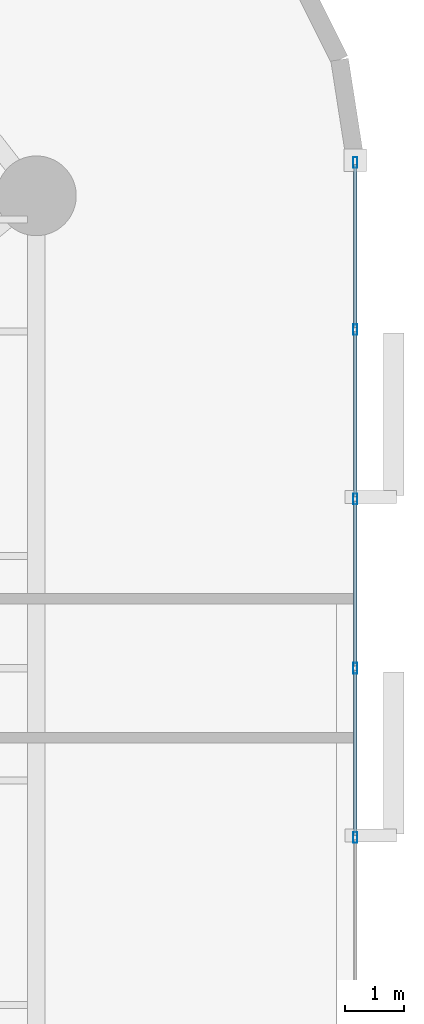
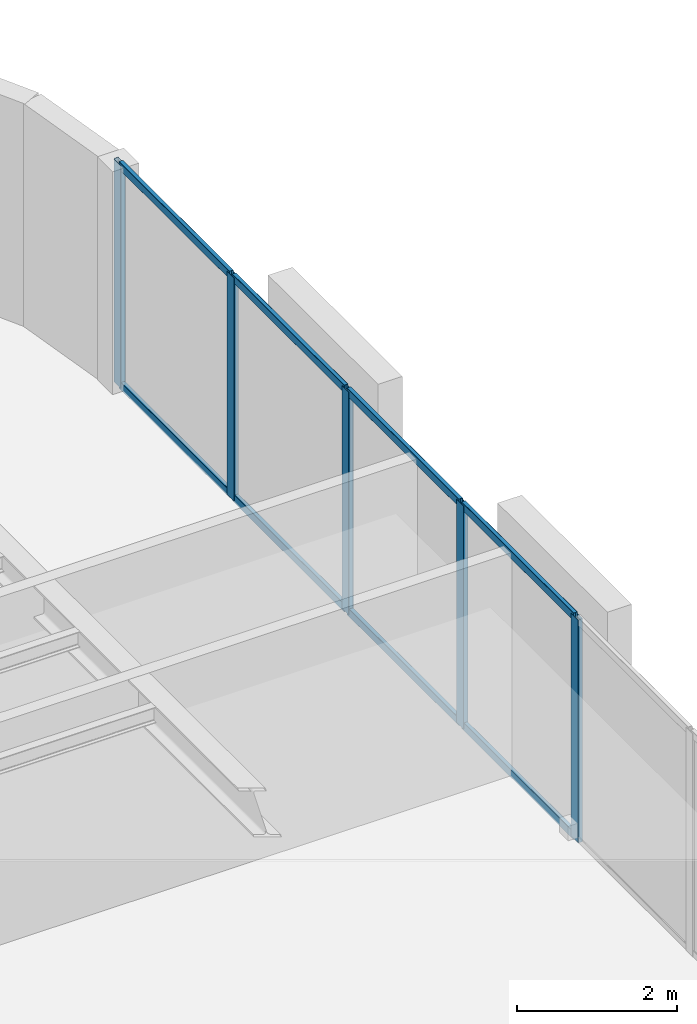
# One storey, part 6 of 15: 13 members, 1 element without a shape of its own.
"""IFC4 building model written with IfcOpenShell, lengths in metres."""

from ifc_helpers import new_model, si_unit, direction, frame, origin, origin_2d, place, context, subcontext, project, spatial, hollow_rectangle, extrude, material, layer, layer_set, material_profile, profile_set, type_object, element, aggregate, save


model = new_model("IFC4")

# Units and contexts
model_context = context("Model", 3, precision=1e-05, world=origin(), true_north=direction((0.0, 1.0)))
body_context = subcontext(model_context, "Body", "Model", "MODEL_VIEW")
ifc_project = project(units=[si_unit("LENGTHUNIT", "METRE"), si_unit("AREAUNIT", "SQUARE_METRE"), si_unit("VOLUMEUNIT", "CUBIC_METRE"), si_unit("PLANEANGLEUNIT", "RADIAN"), si_unit("MASSUNIT", "GRAM", prefix="KILO")], contexts=[model_context])

# Site, building, storey
site_placement = place(None, origin())
site = spatial("IfcSite", under=ifc_project, at=site_placement, CompositionType="ELEMENT")
building_placement = place(site_placement, origin())
building = spatial("IfcBuilding", under=site, at=building_placement, Name="An Khanh Terracotta Commons", CompositionType="ELEMENT")
storey_placement = place(building_placement, frame((0.0, 0.0, 86.300048828125)))
storey = spatial("IfcBuildingStorey", under=building, at=storey_placement, Name="L22", CompositionType="ELEMENT", Elevation=86.300048828125)

# Curtain wall, members
ifc_material = material(Name="Anodised Aluminium 6063-T6", Category="aluminium")
ifc_layer = layer(ifc_material, 0.199951171875, Name="Anodised Aluminium 6063-T6")
ifc_layer_set = layer_set([ifc_layer], Name="Anodised Aluminium 6063-T6")
curtain_wall_type = type_object("IfcCurtainWallType", Name="CW-SYS-02", PredefinedType="USERDEFINED", material=ifc_layer_set)
curtain_wall_placement = place(storey_placement, origin())
curtain_wall = element("IfcCurtainWall", 1, at=curtain_wall_placement, inside=storey, type_object=curtain_wall_type, Name="L22 CW-02 Unitised Curtain Wall CW-L22-12", ObjectType="UNITISED CURTAIN WALL", PredefinedType="USERDEFINED")
ifc_material_profile_1 = material_profile(ifc_material, hollow_rectangle(XDim=0.070068359375, YDim=0.179931640625, WallThickness=0.00390625, InnerFilletRadius=0.00390625, OuterFilletRadius=0.008056640625, at=origin_2d()), Name="RHS180x70x4")
ifc_profile_set_1 = profile_set([ifc_material_profile_1], Name="Anodised Aluminium 6063-T6")
member_type_1 = type_object("IfcMemberType", Name="CWM-RHS180x70x4", PredefinedType="MULLION", material=ifc_profile_set_1)
member_1_placement = place(storey_placement, frame((57.39990234375, 21.13330078125, 0.0), z_axis=(0.0, 0.0, 1.0), x_axis=(-1.0, 0.0, 0.0)))
member_1 = element("IfcMember", 2, at=member_1_placement, type_object=member_type_1, Name="CW-02 mullion 3", PredefinedType="MULLION", context=body_context, shape_type="SweptSolid", body=[
    extrude(hollow_rectangle(XDim=0.070068359375, YDim=0.179931640625, WallThickness=0.00390625, InnerFilletRadius=0.00390625, OuterFilletRadius=0.008056640625, at=origin_2d()), origin(), (0.0, 0.0, 1.0), 3.39990234375),
])
member_2_placement = place(storey_placement, frame((57.39990234375, 24.0, 0.0), z_axis=(0.0, 0.0, 1.0), x_axis=(-1.0, 0.0, 0.0)))
member_2 = element("IfcMember", 3, at=member_2_placement, type_object=member_type_1, Name="CW-02 mullion 4", PredefinedType="MULLION", context=body_context, shape_type="SweptSolid", body=[
    extrude(hollow_rectangle(XDim=0.070068359375, YDim=0.179931640625, WallThickness=0.00390625, InnerFilletRadius=0.00390625, OuterFilletRadius=0.008056640625, at=origin_2d()), origin(), (0.0, 0.0, 1.0), 3.39990234375),
])
member_3_placement = place(storey_placement, frame((57.39990234375, 26.86669921875, 0.0), z_axis=(0.0, 0.0, 1.0), x_axis=(-1.0, 0.0, 0.0)))
member_3 = element("IfcMember", 4, at=member_3_placement, type_object=member_type_1, Name="CW-02 mullion 5", PredefinedType="MULLION", context=body_context, shape_type="SweptSolid", body=[
    extrude(hollow_rectangle(XDim=0.070068359375, YDim=0.179931640625, WallThickness=0.00390625, InnerFilletRadius=0.00390625, OuterFilletRadius=0.008056640625, at=origin_2d()), origin(), (0.0, 0.0, 1.0), 3.39990234375),
])
member_4_placement = place(storey_placement, frame((57.39990234375, 29.7333984375, 0.0), z_axis=(0.0, 0.0, 1.0), x_axis=(-1.0, 0.0, 0.0)))
member_4 = element("IfcMember", 5, at=member_4_placement, type_object=member_type_1, Name="CW-02 mullion 6", PredefinedType="MULLION", context=body_context, shape_type="SweptSolid", body=[
    extrude(hollow_rectangle(XDim=0.070068359375, YDim=0.179931640625, WallThickness=0.00390625, InnerFilletRadius=0.00390625, OuterFilletRadius=0.008056640625, at=origin_2d()), origin(), (0.0, 0.0, 1.0), 3.39990234375),
])
member_5_placement = place(storey_placement, frame((57.39990234375, 32.56494140625, 0.0), z_axis=(0.0, 0.0, 1.0), x_axis=(-1.0, 0.0, 0.0)))
member_5 = element("IfcMember", 6, at=member_5_placement, type_object=member_type_1, Name="CW-02 mullion 7", PredefinedType="MULLION", context=body_context, shape_type="SweptSolid", body=[
    extrude(hollow_rectangle(XDim=0.070068359375, YDim=0.179931640625, WallThickness=0.00390625, InnerFilletRadius=0.00390625, OuterFilletRadius=0.008056640625, at=origin_2d()), origin(), (0.0, 0.0, 1.0), 3.39990234375),
])
ifc_material_profile_2 = material_profile(ifc_material, hollow_rectangle(XDim=0.06005859375, YDim=0.1201171875, WallThickness=0.003662109375, InnerFilletRadius=0.003662109375, OuterFilletRadius=0.007080078125, at=origin_2d()), Name="RHS120x60x3.6")
ifc_profile_set_2 = profile_set([ifc_material_profile_2], Name="Anodised Aluminium 6063-T6")
member_type_2 = type_object("IfcMemberType", Name="CWT-RHS120x60x3.6", PredefinedType="USERDEFINED", material=ifc_profile_set_2)
member_6_placement = place(storey_placement, frame((57.39990234375, 21.168212890625, 0.030029296875), z_axis=(0.0, 1.0, 0.0), x_axis=(-1.0, 0.0, 0.0)))
member_6 = element("IfcMember", 7, at=member_6_placement, type_object=member_type_2, Name="CW-02 transom 3.1", ObjectType="TRANSOM", PredefinedType="USERDEFINED", context=body_context, shape_type="SweptSolid", body=[
    extrude(hollow_rectangle(XDim=0.06005859375, YDim=0.1201171875, WallThickness=0.003662109375, InnerFilletRadius=0.003662109375, OuterFilletRadius=0.007080078125, at=origin_2d()), origin(), (0.0, 0.0, 1.0), 2.796875),
])
member_7_placement = place(storey_placement, frame((57.39990234375, 21.168212890625, 3.369873046875), z_axis=(0.0, 1.0, 0.0), x_axis=(-1.0, 0.0, 0.0)))
member_7 = element("IfcMember", 8, at=member_7_placement, type_object=member_type_2, Name="CW-02 transom 3.2", ObjectType="TRANSOM", PredefinedType="USERDEFINED", context=body_context, shape_type="SweptSolid", body=[
    extrude(hollow_rectangle(XDim=0.06005859375, YDim=0.1201171875, WallThickness=0.003662109375, InnerFilletRadius=0.003662109375, OuterFilletRadius=0.007080078125, at=origin_2d()), origin(), (0.0, 0.0, 1.0), 2.796875),
])
member_8_placement = place(storey_placement, frame((57.39990234375, 24.034912109375, 0.030029296875), z_axis=(0.0, 1.0, 0.0), x_axis=(-1.0, 0.0, 0.0)))
member_8 = element("IfcMember", 9, at=member_8_placement, type_object=member_type_2, Name="CW-02 transom 4.1", ObjectType="TRANSOM", PredefinedType="USERDEFINED", context=body_context, shape_type="SweptSolid", body=[
    extrude(hollow_rectangle(XDim=0.06005859375, YDim=0.1201171875, WallThickness=0.003662109375, InnerFilletRadius=0.003662109375, OuterFilletRadius=0.007080078125, at=origin_2d()), origin(), (0.0, 0.0, 1.0), 2.796875),
])
member_9_placement = place(storey_placement, frame((57.39990234375, 24.034912109375, 3.369873046875), z_axis=(0.0, 1.0, 0.0), x_axis=(-1.0, 0.0, 0.0)))
member_9 = element("IfcMember", 10, at=member_9_placement, type_object=member_type_2, Name="CW-02 transom 4.2", ObjectType="TRANSOM", PredefinedType="USERDEFINED", context=body_context, shape_type="SweptSolid", body=[
    extrude(hollow_rectangle(XDim=0.06005859375, YDim=0.1201171875, WallThickness=0.003662109375, InnerFilletRadius=0.003662109375, OuterFilletRadius=0.007080078125, at=origin_2d()), origin(), (0.0, 0.0, 1.0), 2.796875),
])
member_10_placement = place(storey_placement, frame((57.39990234375, 26.901611328125, 0.030029296875), z_axis=(0.0, 1.0, 0.0), x_axis=(-1.0, 0.0, 0.0)))
member_10 = element("IfcMember", 11, at=member_10_placement, type_object=member_type_2, Name="CW-02 transom 5.1", ObjectType="TRANSOM", PredefinedType="USERDEFINED", context=body_context, shape_type="SweptSolid", body=[
    extrude(hollow_rectangle(XDim=0.06005859375, YDim=0.1201171875, WallThickness=0.003662109375, InnerFilletRadius=0.003662109375, OuterFilletRadius=0.007080078125, at=origin_2d()), origin(), (0.0, 0.0, 1.0), 2.796630859375),
])
member_11_placement = place(storey_placement, frame((57.39990234375, 26.901611328125, 3.369873046875), z_axis=(0.0, 1.0, 0.0), x_axis=(-1.0, 0.0, 0.0)))
member_11 = element("IfcMember", 12, at=member_11_placement, type_object=member_type_2, Name="CW-02 transom 5.2", ObjectType="TRANSOM", PredefinedType="USERDEFINED", context=body_context, shape_type="SweptSolid", body=[
    extrude(hollow_rectangle(XDim=0.06005859375, YDim=0.1201171875, WallThickness=0.003662109375, InnerFilletRadius=0.003662109375, OuterFilletRadius=0.007080078125, at=origin_2d()), origin(), (0.0, 0.0, 1.0), 2.796630859375),
])
member_12_placement = place(storey_placement, frame((57.39990234375, 29.768310546875, 0.030029296875), z_axis=(0.0, 1.0, 0.0), x_axis=(-1.0, 0.0, 0.0)))
member_12 = element("IfcMember", 13, at=member_12_placement, type_object=member_type_2, Name="CW-02 transom 6.1", ObjectType="TRANSOM", PredefinedType="USERDEFINED", context=body_context, shape_type="SweptSolid", body=[
    extrude(hollow_rectangle(XDim=0.06005859375, YDim=0.1201171875, WallThickness=0.003662109375, InnerFilletRadius=0.003662109375, OuterFilletRadius=0.007080078125, at=origin_2d()), origin(), (0.0, 0.0, 1.0), 2.76171875),
])
member_13_placement = place(storey_placement, frame((57.39990234375, 29.768310546875, 3.369873046875), z_axis=(0.0, 1.0, 0.0), x_axis=(-1.0, 0.0, 0.0)))
member_13 = element("IfcMember", 14, at=member_13_placement, type_object=member_type_2, Name="CW-02 transom 6.2", ObjectType="TRANSOM", PredefinedType="USERDEFINED", context=body_context, shape_type="SweptSolid", body=[
    extrude(hollow_rectangle(XDim=0.06005859375, YDim=0.1201171875, WallThickness=0.003662109375, InnerFilletRadius=0.003662109375, OuterFilletRadius=0.007080078125, at=origin_2d()), origin(), (0.0, 0.0, 1.0), 2.76171875),
])
aggregate(curtain_wall, [member_1, member_2, member_3, member_4, member_5, member_6, member_7, member_8, member_9, member_10, member_11, member_12, member_13])

save(model, "model.ifc")
